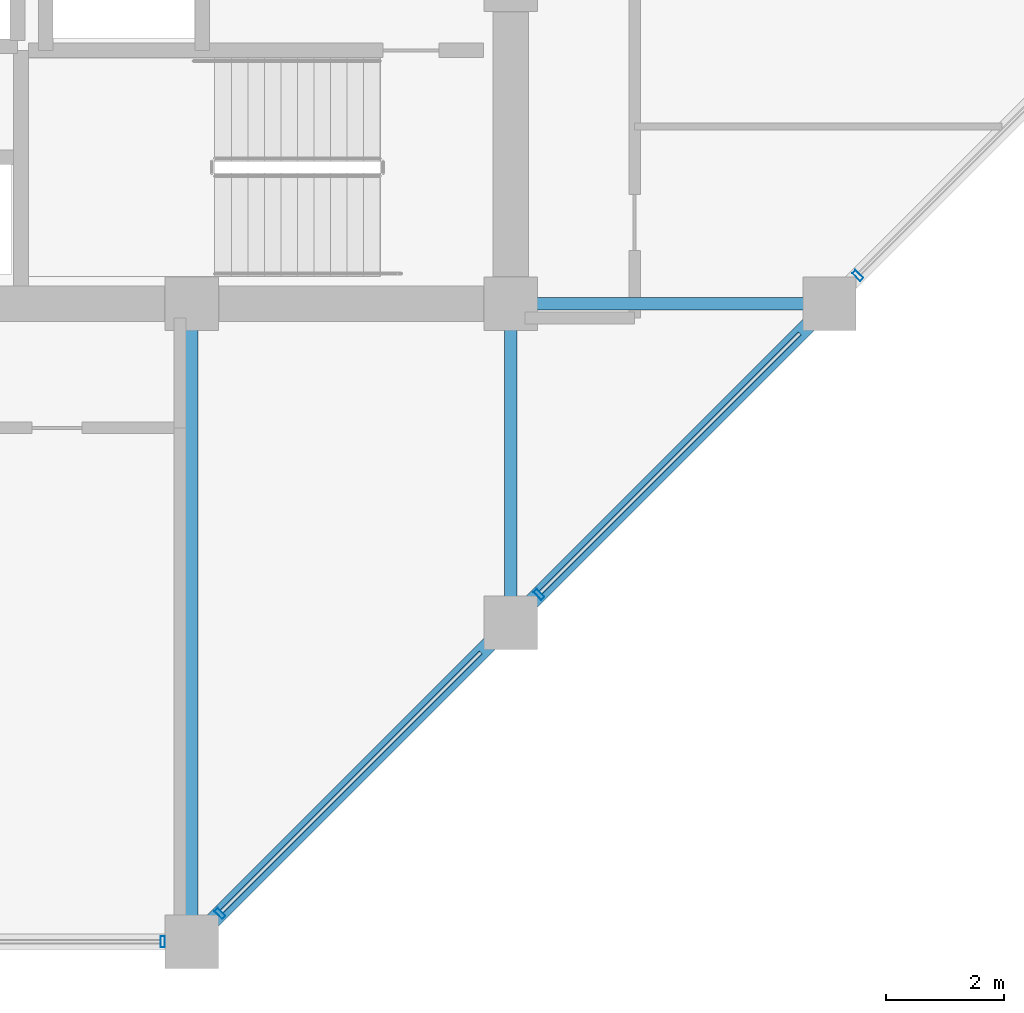
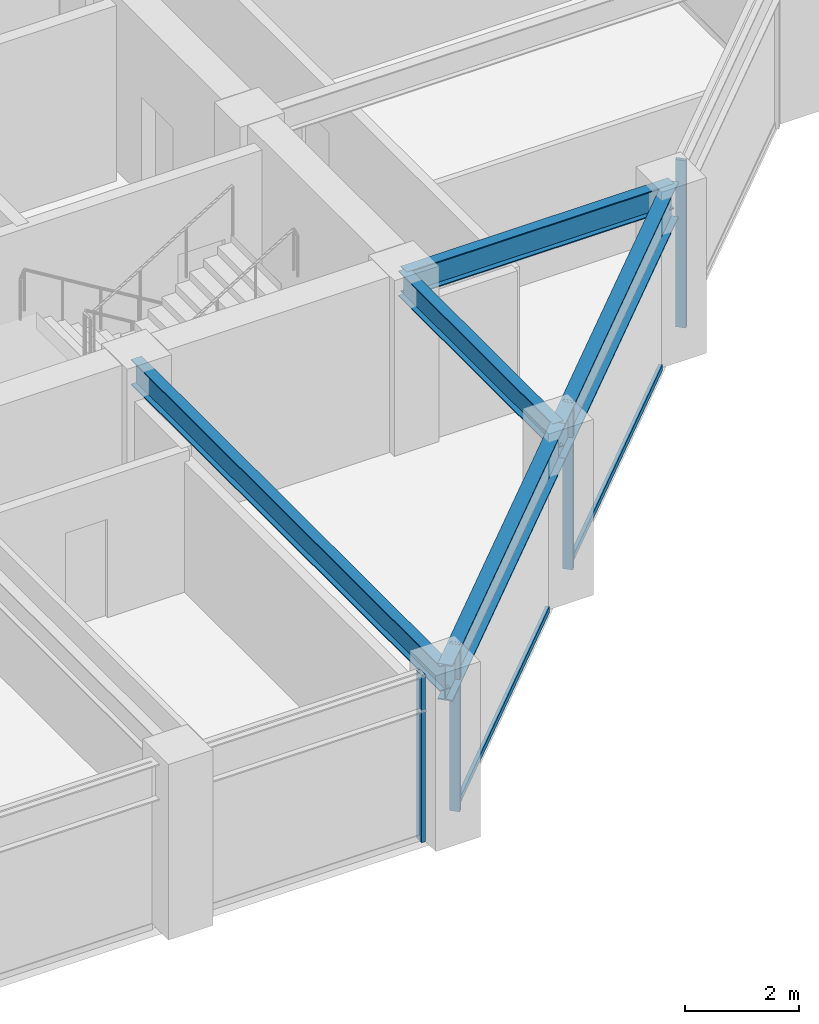
# One storey, part 12 of 32: 6 members, 5 beams, 2 elements without a shape of their own.
"""IFC4 building model written with IfcOpenShell, lengths in metres."""

from ifc_helpers import new_model, si_unit, direction, frame, origin, origin_2d, place, context, subcontext, project, spatial, hollow_rectangle, i_section, extrude, material, layer, layer_set, material_profile, profile_set, type_object, element, aggregate, save


model = new_model("IFC4")

# Units and contexts
model_context = context("Model", 3, precision=1e-05, world=origin(), true_north=direction((0.0, 1.0)))
body_context = subcontext(model_context, "Body", "Model", "MODEL_VIEW")
ifc_project = project(units=[si_unit("LENGTHUNIT", "METRE"), si_unit("AREAUNIT", "SQUARE_METRE"), si_unit("VOLUMEUNIT", "CUBIC_METRE"), si_unit("PLANEANGLEUNIT", "RADIAN"), si_unit("MASSUNIT", "GRAM", prefix="KILO")], contexts=[model_context])

# Site, building, storey
site_placement = place(None, origin())
site = spatial("IfcSite", under=ifc_project, at=site_placement, CompositionType="ELEMENT")
building_placement = place(site_placement, origin())
building = spatial("IfcBuilding", under=site, at=building_placement, Name="Surkhivell Harbour Commons", CompositionType="ELEMENT")
storey_placement = place(building_placement, frame((0.0, 0.0, 186.0)))
storey = spatial("IfcBuildingStorey", under=building, at=storey_placement, Name="L48", CompositionType="ELEMENT", Elevation=186.0)

# Beams
ifc_material_1 = material(Name="Steel S355", Category="steel")
ifc_material_profile_1 = material_profile(ifc_material_1, i_section(OverallWidth=0.2119140625, OverallDepth=0.5439453125, WebThickness=0.0126953125, FlangeThickness=0.021240234375, at=origin_2d()), Name="UB533x210x122")
ifc_profile_set_1 = profile_set([ifc_material_profile_1], Name="Steel S355")
beam_type_1 = type_object("IfcBeamType", Name="BM-GRD-533A", PredefinedType="BEAM", material=ifc_profile_set_1)
beam_1_placement = place(storey_placement, frame((5.39990234375, -21.60009765625, 3.298095703125), z_axis=(0.0, 1.0, 0.0), x_axis=(-1.0, 0.0, 0.0)))
element("IfcBeam", 1, at=beam_1_placement, inside=storey, type_object=beam_type_1, Name="L48 Floor Girder (5.4,-21.6)", PredefinedType="BEAM", context=body_context, shape_type="SweptSolid", body=[
    extrude(i_section(OverallWidth=0.2119140625, OverallDepth=0.5439453125, WebThickness=0.0126953125, FlangeThickness=0.021240234375, at=origin_2d()), origin(), (0.0, 0.0, 1.0), 10.800048828125),
])
for number, where, z_axis, x_axis, name in (
    (2, (10.800048828125, -16.199951171875, 3.298095703125), (0.0, 1.0, 0.0), (-1.0, 0.0, 0.0), "L48 Floor Girder (10.8,-16.2)"),
    (3, (10.800048828125, -10.800048828125, 3.298095703125), (1.0, 0.0, 0.0), (0.0, 1.0, 0.0), "L48 Floor Girder (10.8,-10.8)"),
):
    element("IfcBeam", number, at=place(storey_placement, frame(where, z_axis=z_axis, x_axis=x_axis)), inside=storey, type_object=beam_type_1, Name=name, PredefinedType="BEAM", context=body_context, shape_type="SweptSolid", body=[
        extrude(i_section(OverallWidth=0.2119140625, OverallDepth=0.5439453125, WebThickness=0.0126953125, FlangeThickness=0.021240234375, at=origin_2d()), origin(), (0.0, 0.0, 1.0), 5.39990234375),
    ])
ifc_material_profile_2 = material_profile(ifc_material_1, i_section(OverallWidth=0.26806640625, OverallDepth=0.77001953125, WebThickness=0.015625, FlangeThickness=0.025390625, at=origin_2d()), Name="UB762x267x197")
ifc_profile_set_2 = profile_set([ifc_material_profile_2], Name="Steel S355")
beam_type_2 = type_object("IfcBeamType", Name="BM-SPN-762", PredefinedType="SPANDREL", material=ifc_profile_set_2)
beam_2_placement = place(storey_placement, frame((5.39990234375, -21.60009765625, 3.18505859375), z_axis=(0.707106781187, 0.707106781187, 0.0), x_axis=(-0.707106781187, 0.707106781187, 0.0)))
element("IfcBeam", 4, at=beam_2_placement, inside=storey, type_object=beam_type_2, Name="L48 Tube Spandrel (5.4,-21.6)", PredefinedType="SPANDREL", context=body_context, shape_type="SweptSolid", body=[
    extrude(i_section(OverallWidth=0.26806640625, OverallDepth=0.77001953125, WebThickness=0.015625, FlangeThickness=0.025390625, at=origin_2d()), origin(), (0.0, 0.0, 1.0), 7.636962890625),
])
beam_3_placement = place(storey_placement, frame((10.800048828125, -16.199951171875, 3.18505859375), z_axis=(0.707106781187, 0.707106781187, 0.0), x_axis=(-0.707106781187, 0.707106781187, 0.0)))
element("IfcBeam", 5, at=beam_3_placement, inside=storey, type_object=beam_type_2, Name="L48 Tube Spandrel (10.8,-16.2)", PredefinedType="SPANDREL", context=body_context, shape_type="SweptSolid", body=[
    extrude(i_section(OverallWidth=0.26806640625, OverallDepth=0.77001953125, WebThickness=0.015625, FlangeThickness=0.025390625, at=origin_2d()), origin(), (0.0, 0.0, 1.0), 7.63671875),
])

# Curtain wall, member
ifc_material_2 = material(Name="Anodised pale-metal aluminium and insulated glazing", Category="aluminium")
ifc_layer = layer(ifc_material_2, 0.18994140625)
ifc_layer_set = layer_set([ifc_layer], Name="Anodised pale-metal aluminium and insulated glazing")
curtain_wall_type = type_object("IfcCurtainWallType", Name="CW-SYS-Z3", PredefinedType="NOTDEFINED", material=ifc_layer_set)
curtain_wall_1_placement = place(storey_placement, origin())
curtain_wall_1 = element("IfcCurtainWall", 6, at=curtain_wall_1_placement, inside=storey, type_object=curtain_wall_type, Name="L48 Curtain Wall CW-L48-E00S2", PredefinedType="NOTDEFINED")
ifc_material_3 = material(Name="Anodised pale-metal aluminium alloy 6063-T6", Category="aluminium")
ifc_material_profile_3 = material_profile(ifc_material_3, hollow_rectangle(XDim=0.074951171875, YDim=0.18994140625, WallThickness=0.00390625, at=origin_2d()), Name="ALU-MULL-75x190")
ifc_profile_set_3 = profile_set([ifc_material_profile_3], Name="Anodised pale-metal aluminium alloy 6063-T6")
member_type_1 = type_object("IfcMemberType", Name="CWM-190", PredefinedType="MULLION", material=ifc_profile_set_3)
member_1_placement = place(storey_placement, frame((4.910400390625, -21.60009765625, 0.0), z_axis=(0.0, 0.0, 1.0), x_axis=(1.0, 0.0, 0.0)))
member_1 = element("IfcMember", 7, at=member_1_placement, type_object=member_type_1, Name="CW-Z3 mullion 3", PredefinedType="MULLION", context=body_context, shape_type="SweptSolid", body=[
    extrude(hollow_rectangle(XDim=0.074951171875, YDim=0.18994140625, WallThickness=0.00390625, at=origin_2d()), origin(), (0.0, 0.0, 1.0), 3.570068359375),
])
aggregate(curtain_wall_1, [member_1])

# Curtain wall, members
curtain_wall_2_placement = place(storey_placement, origin())
curtain_wall_2 = element("IfcCurtainWall", 8, at=curtain_wall_2_placement, inside=storey, type_object=curtain_wall_type, Name="L48 Curtain Wall CW-L48-E01", PredefinedType="NOTDEFINED")
member_2_placement = place(storey_placement, frame((5.878173828125, -21.121826171875, 0.0), z_axis=(0.0, 0.0, 1.0), x_axis=(0.707106781187, 0.707106781187, 0.0)))
member_2 = element("IfcMember", 9, at=member_2_placement, type_object=member_type_1, Name="CW-Z3 mullion 1", PredefinedType="MULLION", context=body_context, shape_type="SweptSolid", body=[
    extrude(hollow_rectangle(XDim=0.074951171875, YDim=0.18994140625, WallThickness=0.00390625, at=origin_2d()), origin(), (0.0, 0.0, 1.0), 3.570068359375),
])
member_3_placement = place(storey_placement, frame((11.278076171875, -15.721923828125, 0.0), z_axis=(0.0, 0.0, 1.0), x_axis=(0.707106781187, 0.707106781187, 0.0)))
member_3 = element("IfcMember", 10, at=member_3_placement, type_object=member_type_1, Name="CW-Z3 mullion 2", PredefinedType="MULLION", context=body_context, shape_type="SweptSolid", body=[
    extrude(hollow_rectangle(XDim=0.074951171875, YDim=0.18994140625, WallThickness=0.00390625, at=origin_2d()), origin(), (0.0, 0.0, 1.0), 3.570068359375),
])
member_4_placement = place(storey_placement, frame((16.67822265625, -10.32177734375, 0.0), z_axis=(0.0, 0.0, 1.0), x_axis=(0.707106781187, 0.707106781187, 0.0)))
member_4 = element("IfcMember", 11, at=member_4_placement, type_object=member_type_1, Name="CW-Z3 mullion 3", PredefinedType="MULLION", context=body_context, shape_type="SweptSolid", body=[
    extrude(hollow_rectangle(XDim=0.074951171875, YDim=0.18994140625, WallThickness=0.00390625, at=origin_2d()), origin(), (0.0, 0.0, 1.0), 3.570068359375),
])
ifc_material_4 = material(Name="Champagne anodised aluminium alloy 6063-T6", Category="aluminium")
ifc_material_profile_4 = material_profile(ifc_material_4, hollow_rectangle(XDim=0.070068359375, YDim=0.1298828125, WallThickness=0.00341796875, at=origin_2d()), Name="ALU-TRAN-70x130")
ifc_profile_set_4 = profile_set([ifc_material_profile_4], Name="Champagne anodised aluminium alloy 6063-T6")
member_type_2 = type_object("IfcMemberType", Name="CWT-130", PredefinedType="USERDEFINED", material=ifc_profile_set_4)
member_5_placement = place(storey_placement, frame((5.90478515625, -21.09521484375, 0.06494140625), z_axis=(0.707106781187, 0.707106781187, 0.0), x_axis=(-0.707106781187, 0.707106781187, 0.0)))
member_5 = element("IfcMember", 12, at=member_5_placement, type_object=member_type_2, Name="CW-Z3 transom 1.1", ObjectType="TRANSOM", PredefinedType="USERDEFINED", context=body_context, shape_type="SweptSolid", body=[
    extrude(hollow_rectangle(XDim=0.070068359375, YDim=0.1298828125, WallThickness=0.00341796875, at=origin_2d()), origin(), (0.0, 0.0, 1.0), 6.209228515625),
])
member_6_placement = place(storey_placement, frame((11.3046875, -15.6953125, 0.06494140625), z_axis=(0.707106781187, 0.707106781187, 0.0), x_axis=(-0.707106781187, 0.707106781187, 0.0)))
member_6 = element("IfcMember", 13, at=member_6_placement, type_object=member_type_2, Name="CW-Z3 transom 2.1", ObjectType="TRANSOM", PredefinedType="USERDEFINED", context=body_context, shape_type="SweptSolid", body=[
    extrude(hollow_rectangle(XDim=0.070068359375, YDim=0.1298828125, WallThickness=0.00341796875, at=origin_2d()), origin(), (0.0, 0.0, 1.0), 6.209228515625),
])
aggregate(curtain_wall_2, [member_2, member_5, member_3, member_6, member_4])

save(model, "model.ifc")
